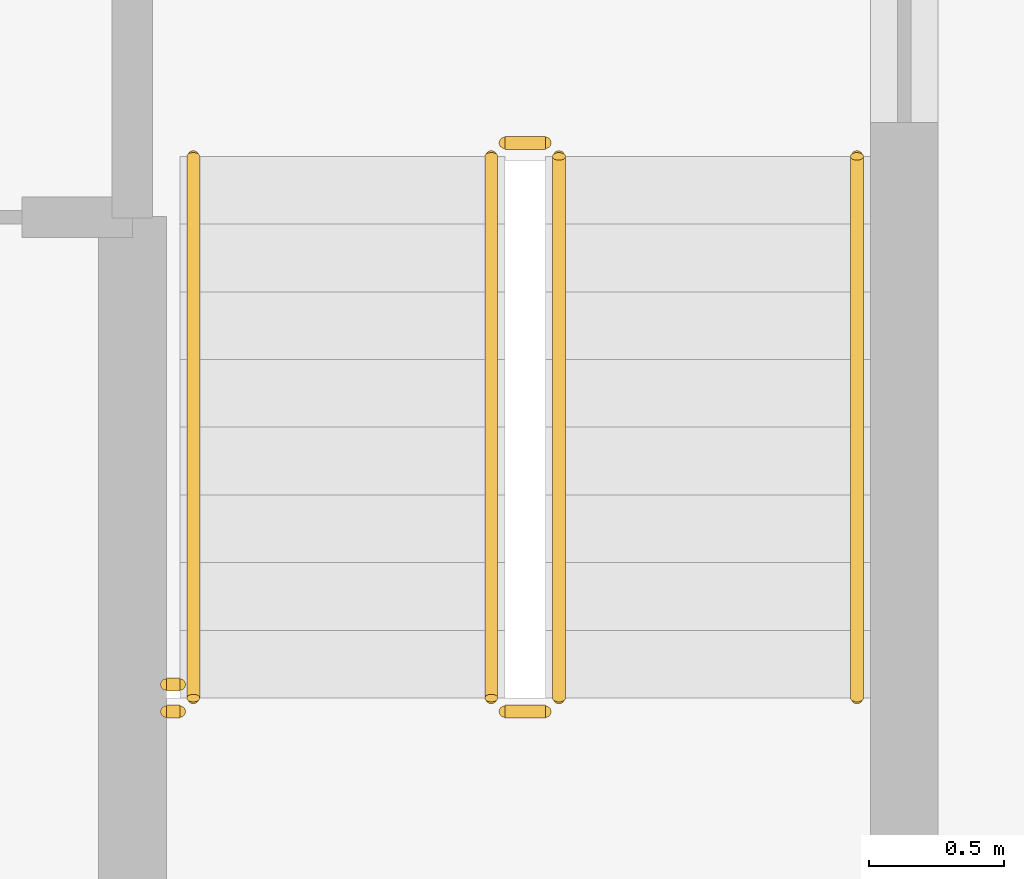
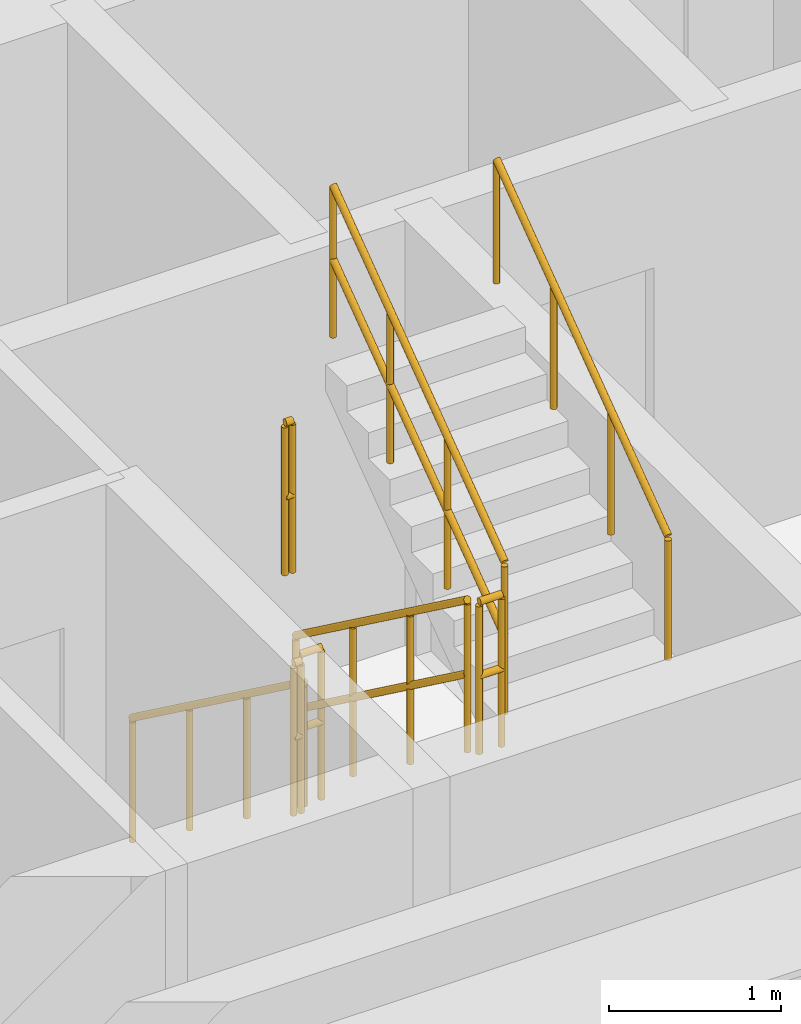
# One storey, part 13 of 16: 8 railings.
"""IFC4 building model written with IfcOpenShell, lengths in metres."""

from ifc_helpers import new_model, si_unit, direction, frame, origin, origin_2d, place, context, subcontext, project, spatial, circle, extrude, material, type_object, element, save


model = new_model("IFC4")

# Units and contexts
model_context = context("Model", 3, precision=1e-05, world=origin(), true_north=direction((0.0, 1.0)))
body_context = subcontext(model_context, "Body", "Model", "MODEL_VIEW")
ifc_project = project(units=[si_unit("LENGTHUNIT", "METRE"), si_unit("AREAUNIT", "SQUARE_METRE"), si_unit("VOLUMEUNIT", "CUBIC_METRE"), si_unit("PLANEANGLEUNIT", "RADIAN"), si_unit("MASSUNIT", "GRAM", prefix="KILO")], contexts=[model_context])

# Site, building, storey
site_placement = place(None, origin())
site = spatial("IfcSite", under=ifc_project, at=site_placement, CompositionType="ELEMENT")
building_placement = place(site_placement, origin())
building = spatial("IfcBuilding", under=site, at=building_placement, Name="Nakaniwa Court", CompositionType="ELEMENT")
storey_placement = place(building_placement, frame((0.0, 0.0, 226.199951171875)))
storey = spatial("IfcBuildingStorey", under=building, at=storey_placement, Name="L58", CompositionType="ELEMENT", Elevation=226.199951171875)

# Railings
ifc_material_1 = material(Name="Black powder coated steel guard", Category="steel")
railing_type_1 = type_object("IfcRailingType", Name="Stair guard 1100", PredefinedType="GUARDRAIL", material=ifc_material_1)
railing_1_placement = place(storey_placement, frame((81.875, 61.824951171875, 0.183349609375)))
element("IfcRailing", 1, at=railing_1_placement, inside=storey, type_object=railing_type_1, Name="L58 ST4 stair guard 1", PredefinedType="GUARDRAIL", context=body_context, shape_type="SweptSolid", body=[
    extrude(circle(Radius=0.02392578125, at=origin_2d()), frame((0.0, 0.0, 1.076171875), z_axis=(0.0, -0.806379959628, 0.591397802423), x_axis=(1.0, 0.0, 0.0)), (0.0, 0.0, 1.0), 2.480224609375),
    extrude(circle(Radius=0.02392578125, at=origin_2d()), frame((0.0, 0.0, 0.550048828125), z_axis=(0.0, -0.806379959628, 0.591397802423), x_axis=(1.0, 0.0, 0.0)), (0.0, 0.0, 1.0), 2.480224609375),
    extrude(circle(Radius=0.02099609375, at=origin_2d()), origin(), (0.0, 0.0, 1.0), 1.052001953125),
    extrude(circle(Radius=0.02099609375, at=origin_2d()), frame((0.0, -0.666748046875, 0.489013671875)), (0.0, 0.0, 1.0), 1.052001953125),
    extrude(circle(Radius=0.02099609375, at=origin_2d()), frame((0.0, -1.333251953125, 0.977783203125)), (0.0, 0.0, 1.0), 1.052001953125),
    extrude(circle(Radius=0.02099609375, at=origin_2d()), frame((0.0, -2.0, 1.466796875)), (0.0, 0.0, 1.0), 1.052001953125),
])
railing_2_placement = place(storey_placement, frame((81.925048828125, 59.77490234375, 1.650146484375)))
element("IfcRailing", 2, at=railing_2_placement, inside=storey, type_object=railing_type_1, Name="L58 ST4 stair guard 2", PredefinedType="GUARDRAIL", context=body_context, shape_type="SweptSolid", body=[
    extrude(circle(Radius=0.02392578125, at=origin_2d()), frame((0.0, 0.0, 1.076171875), z_axis=(1.0, 0.0, 0.0), x_axis=(0.0, 1.0, 0.0)), (0.0, 0.0, 1.0), 0.14990234375),
    extrude(circle(Radius=0.02392578125, at=origin_2d()), frame((0.0, 0.0, 0.550048828125), z_axis=(1.0, 0.0, 0.0), x_axis=(0.0, 1.0, 0.0)), (0.0, 0.0, 1.0), 0.14990234375),
    extrude(circle(Radius=0.02099609375, at=origin_2d()), origin(), (0.0, 0.0, 1.0), 1.052001953125),
    extrude(circle(Radius=0.02099609375, at=origin_2d()), frame((0.14990234375, 0.0, 0.0)), (0.0, 0.0, 1.0), 1.052001953125),
])
railing_3_placement = place(storey_placement, frame((82.125, 59.824951171875, 1.83349609375)))
element("IfcRailing", 3, at=railing_3_placement, inside=storey, type_object=railing_type_1, Name="L58 ST4 stair guard 3", PredefinedType="GUARDRAIL", context=body_context, shape_type="SweptSolid", body=[
    extrude(circle(Radius=0.02392578125, at=origin_2d()), frame((0.0, 0.0, 1.076171875), z_axis=(0.0, 0.806426902644, 0.591333789573), x_axis=(-1.0, 0.0, 0.0)), (0.0, 0.0, 1.0), 2.47998046875),
    extrude(circle(Radius=0.02392578125, at=origin_2d()), frame((0.0, 0.0, 0.550048828125), z_axis=(0.0, 0.806426902644, 0.591333789573), x_axis=(-1.0, 0.0, 0.0)), (0.0, 0.0, 1.0), 2.47998046875),
    extrude(circle(Radius=0.02099609375, at=origin_2d()), origin(), (0.0, 0.0, 1.0), 1.052001953125),
    extrude(circle(Radius=0.02099609375, at=origin_2d()), frame((0.0, 0.666748046875, 0.48876953125)), (0.0, 0.0, 1.0), 1.052001953125),
    extrude(circle(Radius=0.02099609375, at=origin_2d()), frame((0.0, 1.333251953125, 0.977783203125)), (0.0, 0.0, 1.0), 1.052001953125),
    extrude(circle(Radius=0.02099609375, at=origin_2d()), frame((0.0, 2.0, 1.466552734375)), (0.0, 0.0, 1.0), 1.052001953125),
])
railing_4_placement = place(storey_placement, frame((81.925048828125, 61.875, 0.0)))
element("IfcRailing", 4, at=railing_4_placement, inside=storey, type_object=railing_type_1, Name="L58 ST4 stair guard 4", PredefinedType="GUARDRAIL", context=body_context, shape_type="SweptSolid", body=[
    extrude(circle(Radius=0.02392578125, at=origin_2d()), frame((0.0, 0.0, 1.076171875), z_axis=(1.0, 0.0, 0.0), x_axis=(0.0, 1.0, 0.0)), (0.0, 0.0, 1.0), 0.14990234375),
    extrude(circle(Radius=0.02392578125, at=origin_2d()), frame((0.0, 0.0, 0.550048828125), z_axis=(1.0, 0.0, 0.0), x_axis=(0.0, 1.0, 0.0)), (0.0, 0.0, 1.0), 0.14990234375),
    extrude(circle(Radius=0.02099609375, at=origin_2d()), origin(), (0.0, 0.0, 1.0), 1.052001953125),
    extrude(circle(Radius=0.02099609375, at=origin_2d()), frame((0.14990234375, 0.0, 0.0)), (0.0, 0.0, 1.0), 1.052001953125),
])
for number, where, name in (
    (5, (80.675048828125, 59.77490234375, 1.650146484375), "L58 ST4 landing side guard 1W"),
    (6, (80.675048828125, 59.875, 3.300048828125), "L58 ST4 floor edge guard 1W"),
):
    element("IfcRailing", number, at=place(storey_placement, frame(where)), inside=storey, type_object=railing_type_1, Name=name, PredefinedType="GUARDRAIL", context=body_context, shape_type="SweptSolid", body=[
        extrude(circle(Radius=0.02392578125, at=origin_2d()), frame((0.0, 0.0, 1.076171875), z_axis=(1.0, 0.0, 0.0), x_axis=(0.0, 1.0, 0.0)), (0.0, 0.0, 1.0), 0.050048828125),
        extrude(circle(Radius=0.02392578125, at=origin_2d()), frame((0.0, 0.0, 0.550048828125), z_axis=(1.0, 0.0, 0.0), x_axis=(0.0, 1.0, 0.0)), (0.0, 0.0, 1.0), 0.050048828125),
        extrude(circle(Radius=0.02099609375, at=origin_2d()), origin(), (0.0, 0.0, 1.0), 1.052001953125),
        extrude(circle(Radius=0.02099609375, at=origin_2d()), frame((0.050048828125, 0.0, 0.0)), (0.0, 0.0, 1.0), 1.052001953125),
    ])
ifc_material_2 = material(Name="Black powder coated steel handrail", Category="steel")
railing_type_2 = type_object("IfcRailingType", Name="Stair handrail 900", PredefinedType="HANDRAIL", material=ifc_material_2)
railing_5_placement = place(storey_placement, frame((80.77490234375, 61.824951171875, 0.183349609375)))
element("IfcRailing", 7, at=railing_5_placement, inside=storey, type_object=railing_type_2, Name="L58 ST4 stair handrail 1", PredefinedType="HANDRAIL", context=body_context, shape_type="SweptSolid", body=[
    extrude(circle(Radius=0.02392578125, at=origin_2d()), frame((0.0, 0.0, 0.8759765625), z_axis=(0.0, -0.806379959628, 0.591397802423), x_axis=(1.0, 0.0, 0.0)), (0.0, 0.0, 1.0), 2.480224609375),
    extrude(circle(Radius=0.02099609375, at=origin_2d()), origin(), (0.0, 0.0, 1.0), 0.851806640625),
    extrude(circle(Radius=0.02099609375, at=origin_2d()), frame((0.0, -0.666748046875, 0.489013671875)), (0.0, 0.0, 1.0), 0.851806640625),
    extrude(circle(Radius=0.02099609375, at=origin_2d()), frame((0.0, -1.333251953125, 0.977783203125)), (0.0, 0.0, 1.0), 0.851806640625),
    extrude(circle(Radius=0.02099609375, at=origin_2d()), frame((0.0, -2.0, 1.466796875)), (0.0, 0.0, 1.0), 0.851806640625),
])
railing_6_placement = place(storey_placement, frame((83.22509765625, 59.824951171875, 1.83349609375)))
element("IfcRailing", 8, at=railing_6_placement, inside=storey, type_object=railing_type_2, Name="L58 ST4 stair handrail 2", PredefinedType="HANDRAIL", context=body_context, shape_type="SweptSolid", body=[
    extrude(circle(Radius=0.02392578125, at=origin_2d()), frame((0.0, 0.0, 0.8759765625), z_axis=(0.0, 0.806426902644, 0.591333789573), x_axis=(-1.0, 0.0, 0.0)), (0.0, 0.0, 1.0), 2.47998046875),
    extrude(circle(Radius=0.02099609375, at=origin_2d()), origin(), (0.0, 0.0, 1.0), 0.851806640625),
    extrude(circle(Radius=0.02099609375, at=origin_2d()), frame((0.0, 0.666748046875, 0.48876953125)), (0.0, 0.0, 1.0), 0.851806640625),
    extrude(circle(Radius=0.02099609375, at=origin_2d()), frame((0.0, 1.333251953125, 0.977783203125)), (0.0, 0.0, 1.0), 0.851806640625),
    extrude(circle(Radius=0.02099609375, at=origin_2d()), frame((0.0, 2.0, 1.466552734375)), (0.0, 0.0, 1.0), 0.851806640625),
])

save(model, "model.ifc")
